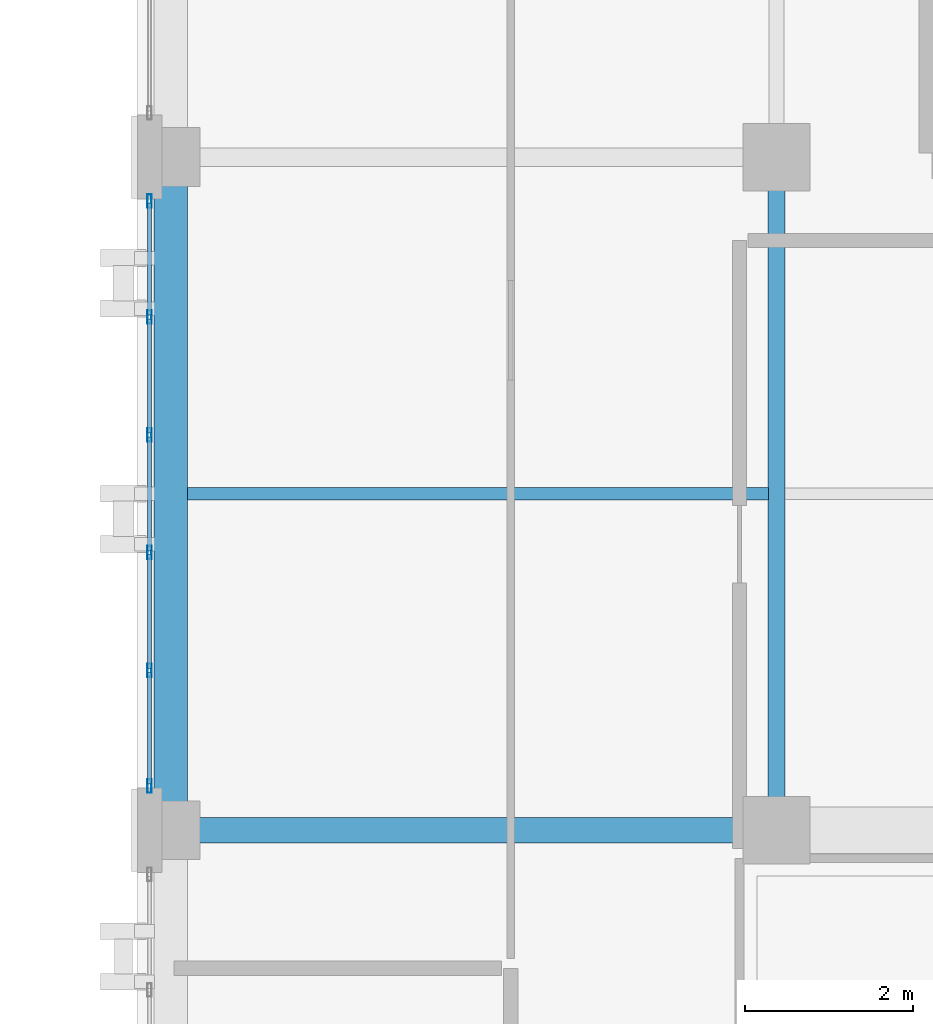
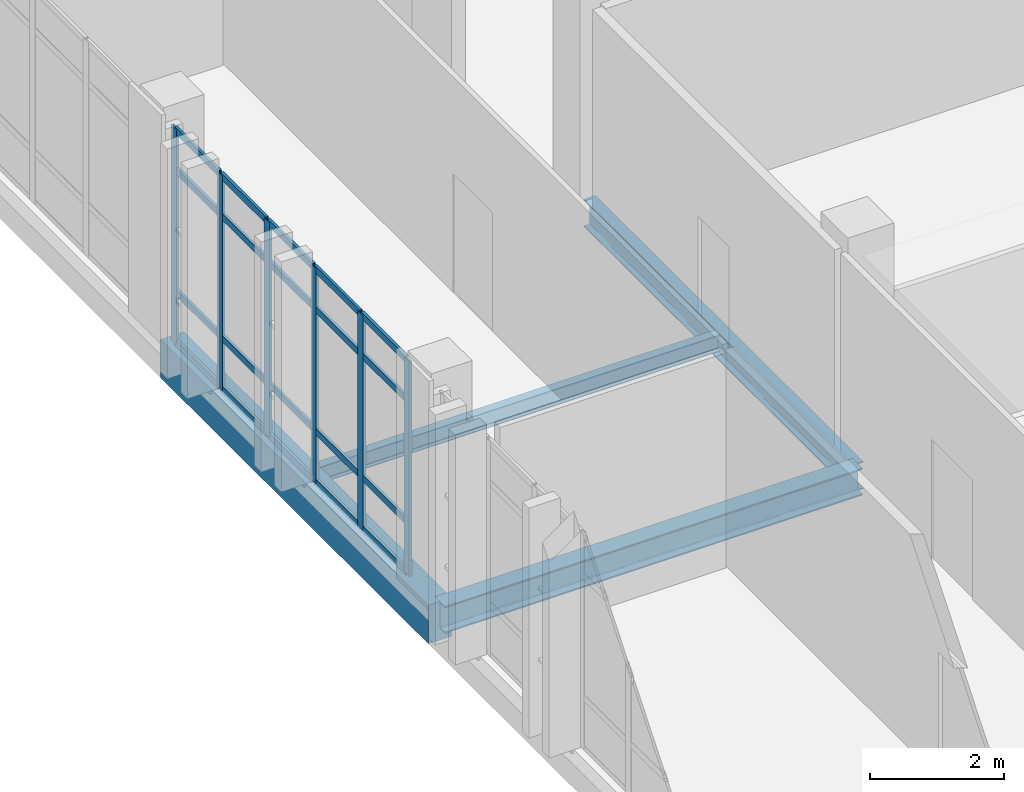
# One storey, part 60 of 165: 26 members, 4 beams, 1 element without a shape of its own.
"""IFC4 building model written with IfcOpenShell, lengths in metres."""

from ifc_helpers import new_model, si_unit, direction, frame, origin, origin_2d, place, context, subcontext, project, spatial, rectangle, hollow_rectangle, i_section, extrude, material, layer, layer_set, material_profile, profile_set, type_object, element, aggregate, save


model = new_model("IFC4")

# Units and contexts
model_context = context("Model", 3, precision=1e-05, world=origin(), true_north=direction((0.0, 1.0)))
body_context = subcontext(model_context, "Body", "Model", "MODEL_VIEW")
ifc_project = project(units=[si_unit("LENGTHUNIT", "METRE"), si_unit("AREAUNIT", "SQUARE_METRE"), si_unit("VOLUMEUNIT", "CUBIC_METRE"), si_unit("PLANEANGLEUNIT", "RADIAN"), si_unit("MASSUNIT", "GRAM", prefix="KILO")], contexts=[model_context])

# Site, building, storey
site_placement = place(None, origin())
site = spatial("IfcSite", under=ifc_project, at=site_placement, CompositionType="ELEMENT")
building_placement = place(site_placement, origin())
building = spatial("IfcBuilding", under=site, at=building_placement, Name="Qalavern Law Courts", CompositionType="ELEMENT")
storey_placement = place(building_placement, frame((0.0, 0.0, 14.39990234375)))
storey = spatial("IfcBuildingStorey", under=building, at=storey_placement, Name="L03", CompositionType="ELEMENT", Elevation=14.39990234375)

# Curtain wall, members
ifc_material_1 = material(Name="Anodised aluminium and insulated glazing", Category="aluminium")
ifc_layer = layer(ifc_material_1, 0.172119140625)
ifc_layer_set = layer_set([ifc_layer], Name="Anodised aluminium and insulated glazing")
curtain_wall_type = type_object("IfcCurtainWallType", Name="ENV-CW-COURT", PredefinedType="USERDEFINED", material=ifc_layer_set)
curtain_wall_placement = place(storey_placement, origin())
curtain_wall = element("IfcCurtainWall", 1, at=curtain_wall_placement, inside=storey, type_object=curtain_wall_type, Name="V4 unitised curtain wall L03 west 4", ObjectType="UNITISED CURTAIN WALL", PredefinedType="USERDEFINED")
ifc_material_2 = material(Name="Anodised aluminium", Category="aluminium")
ifc_material_profile_1 = material_profile(ifc_material_2, hollow_rectangle(XDim=0.048095703125, YDim=0.159912109375, WallThickness=0.00390625, at=origin_2d()), Name="ALU MULLION 48x160")
ifc_profile_set_1 = profile_set([ifc_material_profile_1], Name="Anodised aluminium")
member_type_1 = type_object("IfcMemberType", Name="ENV-CWM-48x160", PredefinedType="MULLION", material=ifc_profile_set_1)
member_1_placement = place(storey_placement, frame((84.347412109375, 64.8759765625, 0.0), z_axis=(0.0, 0.0, 1.0), x_axis=(1.0, 0.0, 0.0)))
member_1 = element("IfcMember", 2, at=member_1_placement, type_object=member_type_1, Name="CW-03 mullion 1", PredefinedType="MULLION", context=body_context, shape_type="SweptSolid", body=[
    extrude(hollow_rectangle(XDim=0.048095703125, YDim=0.159912109375, WallThickness=0.00390625, at=origin_2d()), origin(), (0.0, 0.0, 1.0), 3.920166015625),
])
member_2_placement = place(storey_placement, frame((84.347412109375, 63.5, 0.0), z_axis=(0.0, 0.0, 1.0), x_axis=(1.0, 0.0, 0.0)))
member_2 = element("IfcMember", 3, at=member_2_placement, type_object=member_type_1, Name="CW-03 mullion 2", PredefinedType="MULLION", context=body_context, shape_type="SweptSolid", body=[
    extrude(hollow_rectangle(XDim=0.048095703125, YDim=0.159912109375, WallThickness=0.00390625, at=origin_2d()), origin(), (0.0, 0.0, 1.0), 3.920166015625),
])
member_3_placement = place(storey_placement, frame((84.347412109375, 62.10009765625, 0.0), z_axis=(0.0, 0.0, 1.0), x_axis=(1.0, 0.0, 0.0)))
member_3 = element("IfcMember", 4, at=member_3_placement, type_object=member_type_1, Name="CW-03 mullion 3", PredefinedType="MULLION", context=body_context, shape_type="SweptSolid", body=[
    extrude(hollow_rectangle(XDim=0.048095703125, YDim=0.159912109375, WallThickness=0.00390625, at=origin_2d()), origin(), (0.0, 0.0, 1.0), 3.920166015625),
])
member_4_placement = place(storey_placement, frame((84.347412109375, 60.699951171875, 0.0), z_axis=(0.0, 0.0, 1.0), x_axis=(1.0, 0.0, 0.0)))
member_4 = element("IfcMember", 5, at=member_4_placement, type_object=member_type_1, Name="CW-03 mullion 4", PredefinedType="MULLION", context=body_context, shape_type="SweptSolid", body=[
    extrude(hollow_rectangle(XDim=0.048095703125, YDim=0.159912109375, WallThickness=0.00390625, at=origin_2d()), origin(), (0.0, 0.0, 1.0), 3.920166015625),
])
member_5_placement = place(storey_placement, frame((84.347412109375, 59.300048828125, 0.0), z_axis=(0.0, 0.0, 1.0), x_axis=(1.0, 0.0, 0.0)))
member_5 = element("IfcMember", 6, at=member_5_placement, type_object=member_type_1, Name="CW-03 mullion 5", PredefinedType="MULLION", context=body_context, shape_type="SweptSolid", body=[
    extrude(hollow_rectangle(XDim=0.048095703125, YDim=0.159912109375, WallThickness=0.00390625, at=origin_2d()), origin(), (0.0, 0.0, 1.0), 3.920166015625),
])
member_6_placement = place(storey_placement, frame((84.347412109375, 57.924072265625, 0.0), z_axis=(0.0, 0.0, 1.0), x_axis=(1.0, 0.0, 0.0)))
member_6 = element("IfcMember", 7, at=member_6_placement, type_object=member_type_1, Name="CW-03 mullion 6", PredefinedType="MULLION", context=body_context, shape_type="SweptSolid", body=[
    extrude(hollow_rectangle(XDim=0.048095703125, YDim=0.159912109375, WallThickness=0.00390625, at=origin_2d()), origin(), (0.0, 0.0, 1.0), 3.920166015625),
])
ifc_material_profile_2 = material_profile(ifc_material_2, hollow_rectangle(XDim=0.048095703125, YDim=0.1201171875, WallThickness=0.00390625, at=origin_2d()), Name="ALU TRANSOM 48x120")
ifc_profile_set_2 = profile_set([ifc_material_profile_2], Name="Anodised aluminium")
member_type_2 = type_object("IfcMemberType", Name="ENV-CWT-48x120", PredefinedType="USERDEFINED", material=ifc_profile_set_2)
member_7_placement = place(storey_placement, frame((84.347412109375, 64.85205078125, 0.024169921875), z_axis=(0.0, -1.0, 0.0), x_axis=(1.0, 0.0, 0.0)))
member_7 = element("IfcMember", 8, at=member_7_placement, type_object=member_type_2, Name="CW-03 transom 1.1", ObjectType="TRANSOM", PredefinedType="USERDEFINED", context=body_context, shape_type="SweptSolid", body=[
    extrude(hollow_rectangle(XDim=0.048095703125, YDim=0.1201171875, WallThickness=0.00390625, at=origin_2d()), origin(), (0.0, 0.0, 1.0), 1.328125),
])
member_8_placement = place(storey_placement, frame((84.347412109375, 64.85205078125, 0.9501953125), z_axis=(0.0, -1.0, 0.0), x_axis=(1.0, 0.0, 0.0)))
member_8 = element("IfcMember", 9, at=member_8_placement, type_object=member_type_2, Name="CW-03 transom 1.2", ObjectType="TRANSOM", PredefinedType="USERDEFINED", context=body_context, shape_type="SweptSolid", body=[
    extrude(hollow_rectangle(XDim=0.048095703125, YDim=0.1201171875, WallThickness=0.00390625, at=origin_2d()), origin(), (0.0, 0.0, 1.0), 1.328125),
])
member_9_placement = place(storey_placement, frame((84.347412109375, 64.85205078125, 3.170166015625), z_axis=(0.0, -1.0, 0.0), x_axis=(1.0, 0.0, 0.0)))
member_9 = element("IfcMember", 10, at=member_9_placement, type_object=member_type_2, Name="CW-03 transom 1.3", ObjectType="TRANSOM", PredefinedType="USERDEFINED", context=body_context, shape_type="SweptSolid", body=[
    extrude(hollow_rectangle(XDim=0.048095703125, YDim=0.1201171875, WallThickness=0.00390625, at=origin_2d()), origin(), (0.0, 0.0, 1.0), 1.328125),
])
member_10_placement = place(storey_placement, frame((84.347412109375, 64.85205078125, 3.89599609375), z_axis=(0.0, -1.0, 0.0), x_axis=(1.0, 0.0, 0.0)))
member_10 = element("IfcMember", 11, at=member_10_placement, type_object=member_type_2, Name="CW-03 transom 1.4", ObjectType="TRANSOM", PredefinedType="USERDEFINED", context=body_context, shape_type="SweptSolid", body=[
    extrude(hollow_rectangle(XDim=0.048095703125, YDim=0.1201171875, WallThickness=0.00390625, at=origin_2d()), origin(), (0.0, 0.0, 1.0), 1.328125),
])
member_11_placement = place(storey_placement, frame((84.347412109375, 63.47607421875, 0.024169921875), z_axis=(0.0, -1.0, 0.0), x_axis=(1.0, 0.0, 0.0)))
member_11 = element("IfcMember", 12, at=member_11_placement, type_object=member_type_2, Name="CW-03 transom 2.1", ObjectType="TRANSOM", PredefinedType="USERDEFINED", context=body_context, shape_type="SweptSolid", body=[
    extrude(hollow_rectangle(XDim=0.048095703125, YDim=0.1201171875, WallThickness=0.00390625, at=origin_2d()), origin(), (0.0, 0.0, 1.0), 1.35205078125),
])
member_12_placement = place(storey_placement, frame((84.347412109375, 63.47607421875, 0.9501953125), z_axis=(0.0, -1.0, 0.0), x_axis=(1.0, 0.0, 0.0)))
member_12 = element("IfcMember", 13, at=member_12_placement, type_object=member_type_2, Name="CW-03 transom 2.2", ObjectType="TRANSOM", PredefinedType="USERDEFINED", context=body_context, shape_type="SweptSolid", body=[
    extrude(hollow_rectangle(XDim=0.048095703125, YDim=0.1201171875, WallThickness=0.00390625, at=origin_2d()), origin(), (0.0, 0.0, 1.0), 1.35205078125),
])
member_13_placement = place(storey_placement, frame((84.347412109375, 63.47607421875, 3.170166015625), z_axis=(0.0, -1.0, 0.0), x_axis=(1.0, 0.0, 0.0)))
member_13 = element("IfcMember", 14, at=member_13_placement, type_object=member_type_2, Name="CW-03 transom 2.3", ObjectType="TRANSOM", PredefinedType="USERDEFINED", context=body_context, shape_type="SweptSolid", body=[
    extrude(hollow_rectangle(XDim=0.048095703125, YDim=0.1201171875, WallThickness=0.00390625, at=origin_2d()), origin(), (0.0, 0.0, 1.0), 1.35205078125),
])
member_14_placement = place(storey_placement, frame((84.347412109375, 63.47607421875, 3.89599609375), z_axis=(0.0, -1.0, 0.0), x_axis=(1.0, 0.0, 0.0)))
member_14 = element("IfcMember", 15, at=member_14_placement, type_object=member_type_2, Name="CW-03 transom 2.4", ObjectType="TRANSOM", PredefinedType="USERDEFINED", context=body_context, shape_type="SweptSolid", body=[
    extrude(hollow_rectangle(XDim=0.048095703125, YDim=0.1201171875, WallThickness=0.00390625, at=origin_2d()), origin(), (0.0, 0.0, 1.0), 1.35205078125),
])
member_15_placement = place(storey_placement, frame((84.347412109375, 62.075927734375, 0.024169921875), z_axis=(0.0, -1.0, 0.0), x_axis=(1.0, 0.0, 0.0)))
member_15 = element("IfcMember", 16, at=member_15_placement, type_object=member_type_2, Name="CW-03 transom 3.1", ObjectType="TRANSOM", PredefinedType="USERDEFINED", context=body_context, shape_type="SweptSolid", body=[
    extrude(hollow_rectangle(XDim=0.048095703125, YDim=0.1201171875, WallThickness=0.00390625, at=origin_2d()), origin(), (0.0, 0.0, 1.0), 1.351806640625),
])
member_16_placement = place(storey_placement, frame((84.347412109375, 62.075927734375, 0.9501953125), z_axis=(0.0, -1.0, 0.0), x_axis=(1.0, 0.0, 0.0)))
member_16 = element("IfcMember", 17, at=member_16_placement, type_object=member_type_2, Name="CW-03 transom 3.2", ObjectType="TRANSOM", PredefinedType="USERDEFINED", context=body_context, shape_type="SweptSolid", body=[
    extrude(hollow_rectangle(XDim=0.048095703125, YDim=0.1201171875, WallThickness=0.00390625, at=origin_2d()), origin(), (0.0, 0.0, 1.0), 1.351806640625),
])
member_17_placement = place(storey_placement, frame((84.347412109375, 62.075927734375, 3.170166015625), z_axis=(0.0, -1.0, 0.0), x_axis=(1.0, 0.0, 0.0)))
member_17 = element("IfcMember", 18, at=member_17_placement, type_object=member_type_2, Name="CW-03 transom 3.3", ObjectType="TRANSOM", PredefinedType="USERDEFINED", context=body_context, shape_type="SweptSolid", body=[
    extrude(hollow_rectangle(XDim=0.048095703125, YDim=0.1201171875, WallThickness=0.00390625, at=origin_2d()), origin(), (0.0, 0.0, 1.0), 1.351806640625),
])
member_18_placement = place(storey_placement, frame((84.347412109375, 62.075927734375, 3.89599609375), z_axis=(0.0, -1.0, 0.0), x_axis=(1.0, 0.0, 0.0)))
member_18 = element("IfcMember", 19, at=member_18_placement, type_object=member_type_2, Name="CW-03 transom 3.4", ObjectType="TRANSOM", PredefinedType="USERDEFINED", context=body_context, shape_type="SweptSolid", body=[
    extrude(hollow_rectangle(XDim=0.048095703125, YDim=0.1201171875, WallThickness=0.00390625, at=origin_2d()), origin(), (0.0, 0.0, 1.0), 1.351806640625),
])
member_19_placement = place(storey_placement, frame((84.347412109375, 60.676025390625, 0.024169921875), z_axis=(0.0, -1.0, 0.0), x_axis=(1.0, 0.0, 0.0)))
member_19 = element("IfcMember", 20, at=member_19_placement, type_object=member_type_2, Name="CW-03 transom 4.1", ObjectType="TRANSOM", PredefinedType="USERDEFINED", context=body_context, shape_type="SweptSolid", body=[
    extrude(hollow_rectangle(XDim=0.048095703125, YDim=0.1201171875, WallThickness=0.00390625, at=origin_2d()), origin(), (0.0, 0.0, 1.0), 1.35205078125),
])
member_20_placement = place(storey_placement, frame((84.347412109375, 60.676025390625, 0.9501953125), z_axis=(0.0, -1.0, 0.0), x_axis=(1.0, 0.0, 0.0)))
member_20 = element("IfcMember", 21, at=member_20_placement, type_object=member_type_2, Name="CW-03 transom 4.2", ObjectType="TRANSOM", PredefinedType="USERDEFINED", context=body_context, shape_type="SweptSolid", body=[
    extrude(hollow_rectangle(XDim=0.048095703125, YDim=0.1201171875, WallThickness=0.00390625, at=origin_2d()), origin(), (0.0, 0.0, 1.0), 1.35205078125),
])
member_21_placement = place(storey_placement, frame((84.347412109375, 60.676025390625, 3.170166015625), z_axis=(0.0, -1.0, 0.0), x_axis=(1.0, 0.0, 0.0)))
member_21 = element("IfcMember", 22, at=member_21_placement, type_object=member_type_2, Name="CW-03 transom 4.3", ObjectType="TRANSOM", PredefinedType="USERDEFINED", context=body_context, shape_type="SweptSolid", body=[
    extrude(hollow_rectangle(XDim=0.048095703125, YDim=0.1201171875, WallThickness=0.00390625, at=origin_2d()), origin(), (0.0, 0.0, 1.0), 1.35205078125),
])
member_22_placement = place(storey_placement, frame((84.347412109375, 60.676025390625, 3.89599609375), z_axis=(0.0, -1.0, 0.0), x_axis=(1.0, 0.0, 0.0)))
member_22 = element("IfcMember", 23, at=member_22_placement, type_object=member_type_2, Name="CW-03 transom 4.4", ObjectType="TRANSOM", PredefinedType="USERDEFINED", context=body_context, shape_type="SweptSolid", body=[
    extrude(hollow_rectangle(XDim=0.048095703125, YDim=0.1201171875, WallThickness=0.00390625, at=origin_2d()), origin(), (0.0, 0.0, 1.0), 1.35205078125),
])
member_23_placement = place(storey_placement, frame((84.347412109375, 59.27587890625, 0.024169921875), z_axis=(0.0, -1.0, 0.0), x_axis=(1.0, 0.0, 0.0)))
member_23 = element("IfcMember", 24, at=member_23_placement, type_object=member_type_2, Name="CW-03 transom 5.1", ObjectType="TRANSOM", PredefinedType="USERDEFINED", context=body_context, shape_type="SweptSolid", body=[
    extrude(hollow_rectangle(XDim=0.048095703125, YDim=0.1201171875, WallThickness=0.00390625, at=origin_2d()), origin(), (0.0, 0.0, 1.0), 1.327880859375),
])
member_24_placement = place(storey_placement, frame((84.347412109375, 59.27587890625, 0.9501953125), z_axis=(0.0, -1.0, 0.0), x_axis=(1.0, 0.0, 0.0)))
member_24 = element("IfcMember", 25, at=member_24_placement, type_object=member_type_2, Name="CW-03 transom 5.2", ObjectType="TRANSOM", PredefinedType="USERDEFINED", context=body_context, shape_type="SweptSolid", body=[
    extrude(hollow_rectangle(XDim=0.048095703125, YDim=0.1201171875, WallThickness=0.00390625, at=origin_2d()), origin(), (0.0, 0.0, 1.0), 1.327880859375),
])
member_25_placement = place(storey_placement, frame((84.347412109375, 59.27587890625, 3.170166015625), z_axis=(0.0, -1.0, 0.0), x_axis=(1.0, 0.0, 0.0)))
member_25 = element("IfcMember", 26, at=member_25_placement, type_object=member_type_2, Name="CW-03 transom 5.3", ObjectType="TRANSOM", PredefinedType="USERDEFINED", context=body_context, shape_type="SweptSolid", body=[
    extrude(hollow_rectangle(XDim=0.048095703125, YDim=0.1201171875, WallThickness=0.00390625, at=origin_2d()), origin(), (0.0, 0.0, 1.0), 1.327880859375),
])
member_26_placement = place(storey_placement, frame((84.347412109375, 59.27587890625, 3.89599609375), z_axis=(0.0, -1.0, 0.0), x_axis=(1.0, 0.0, 0.0)))
member_26 = element("IfcMember", 27, at=member_26_placement, type_object=member_type_2, Name="CW-03 transom 5.4", ObjectType="TRANSOM", PredefinedType="USERDEFINED", context=body_context, shape_type="SweptSolid", body=[
    extrude(hollow_rectangle(XDim=0.048095703125, YDim=0.1201171875, WallThickness=0.00390625, at=origin_2d()), origin(), (0.0, 0.0, 1.0), 1.327880859375),
])
aggregate(curtain_wall, [member_1, member_2, member_3, member_4, member_5, member_6, member_7, member_8, member_9, member_10, member_11, member_12, member_13, member_14, member_15, member_16, member_17, member_18, member_19, member_20, member_21, member_22, member_23, member_24, member_25, member_26])

# Beams
ifc_material_3 = material(Name="Steel S355", Category="steel")
ifc_material_profile_3 = material_profile(ifc_material_3, i_section(OverallWidth=0.300048828125, OverallDepth=0.489990234375, WebThickness=0.011962890625, FlangeThickness=0.02294921875, FilletRadius=0.027099609375, at=origin_2d()), Name="HEA 500")
ifc_profile_set_3 = profile_set([ifc_material_profile_3], Name="Steel S355")
beam_type_1 = type_object("IfcBeamType", Name="STR-BM-HEA500", PredefinedType="BEAM", material=ifc_profile_set_3)
beam_1_placement = place(storey_placement, frame((84.60009765625, 57.39990234375, -0.52978515625), z_axis=(1.0, 0.0, 0.0), x_axis=(0.0, 1.0, 0.0)))
element("IfcBeam", 28, at=beam_1_placement, inside=storey, type_object=beam_type_1, Name="V4 X-beam 3-1 L03", PredefinedType="BEAM", context=body_context, shape_type="SweptSolid", body=[
    extrude(i_section(OverallWidth=0.300048828125, OverallDepth=0.489990234375, WebThickness=0.011962890625, FlangeThickness=0.02294921875, FilletRadius=0.027099609375, at=origin_2d()), origin(), (0.0, 0.0, 1.0), 7.199951171875),
])
ifc_material_profile_4 = material_profile(ifc_material_3, i_section(OverallWidth=0.199951171875, OverallDepth=0.5, WebThickness=0.01025390625, FlangeThickness=0.01611328125, FilletRadius=0.02099609375, at=origin_2d()), Name="IPE 500")
ifc_profile_set_4 = profile_set([ifc_material_profile_4], Name="Steel S355")
beam_type_2 = type_object("IfcBeamType", Name="STR-BM-IPE500", PredefinedType="BEAM", material=ifc_profile_set_4)
beam_2_placement = place(storey_placement, frame((91.800048828125, 57.39990234375, -0.534912109375), z_axis=(0.0, 1.0, 0.0), x_axis=(-1.0, 0.0, 0.0)))
element("IfcBeam", 29, at=beam_2_placement, inside=storey, type_object=beam_type_2, Name="V4 Y-beam 2-2 L03", PredefinedType="BEAM", context=body_context, shape_type="SweptSolid", body=[
    extrude(i_section(OverallWidth=0.199951171875, OverallDepth=0.5, WebThickness=0.01025390625, FlangeThickness=0.01611328125, FilletRadius=0.02099609375, at=origin_2d()), origin(), (0.0, 0.0, 1.0), 8.0),
])
ifc_material_profile_5 = material_profile(ifc_material_3, i_section(OverallWidth=0.14990234375, OverallDepth=0.300048828125, WebThickness=0.007080078125, FlangeThickness=0.0107421875, FilletRadius=0.014892578125, at=origin_2d()), Name="IPE 300")
ifc_profile_set_5 = profile_set([ifc_material_profile_5], Name="Steel S355")
beam_type_3 = type_object("IfcBeamType", Name="STR-JST-IPE300", PredefinedType="JOIST", material=ifc_profile_set_5)
beam_3_placement = place(storey_placement, frame((84.798095703125, 61.39990234375, -0.434814453125), z_axis=(1.0, 0.0, 0.0), x_axis=(0.0, 1.0, 0.0)))
element("IfcBeam", 30, at=beam_3_placement, inside=storey, type_object=beam_type_3, Name="V4 secondary joist 1.3.1 L03", PredefinedType="JOIST", context=body_context, shape_type="SweptSolid", body=[
    extrude(i_section(OverallWidth=0.14990234375, OverallDepth=0.300048828125, WebThickness=0.007080078125, FlangeThickness=0.0107421875, FilletRadius=0.014892578125, at=origin_2d()), origin(), (0.0, 0.0, 1.0), 6.90380859375),
])
ifc_material_4 = material(Name="Concrete C40/50", Category="concrete")
ifc_material_profile_6 = material_profile(ifc_material_4, rectangle(XDim=0.39990234375, YDim=0.699951171875, at=origin_2d()), Name="RC 400x700")
ifc_profile_set_6 = profile_set([ifc_material_profile_6], Name="Concrete C40/50")
beam_type_4 = type_object("IfcBeamType", Name="STR-SP-RC400x700", PredefinedType="SPANDREL", material=ifc_profile_set_6)
beam_4_placement = place(storey_placement, frame((84.60009765625, 57.39990234375, -0.635009765625), z_axis=(0.0, 1.0, 0.0), x_axis=(-1.0, 0.0, 0.0)))
element("IfcBeam", 31, at=beam_4_placement, inside=storey, type_object=beam_type_4, Name="V4 Y-beam 1-3 L03", PredefinedType="SPANDREL", context=body_context, shape_type="SweptSolid", body=[
    extrude(rectangle(XDim=0.39990234375, YDim=0.699951171875, at=origin_2d()), origin(), (0.0, 0.0, 1.0), 8.0),
])

save(model, "model.ifc")
